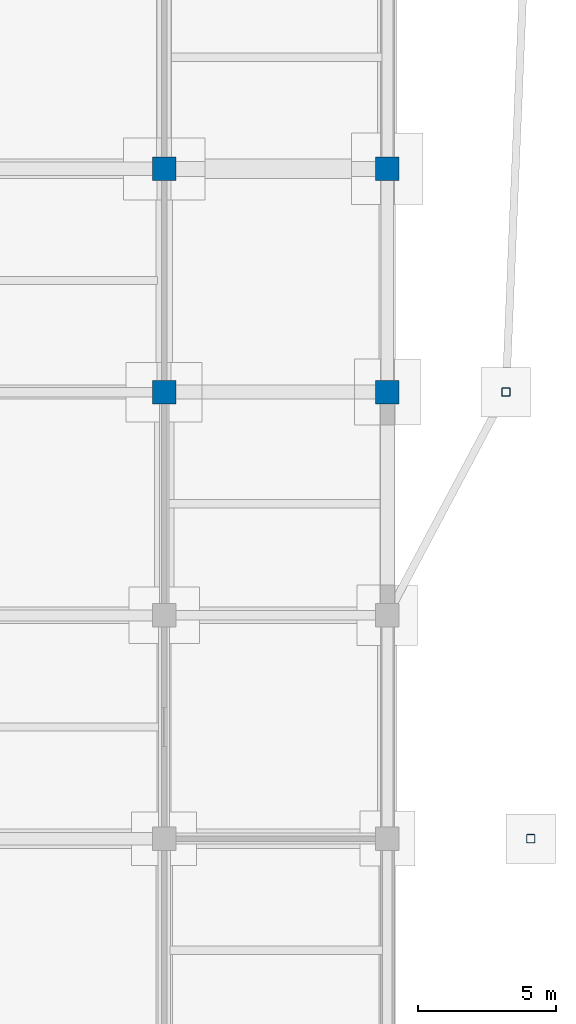
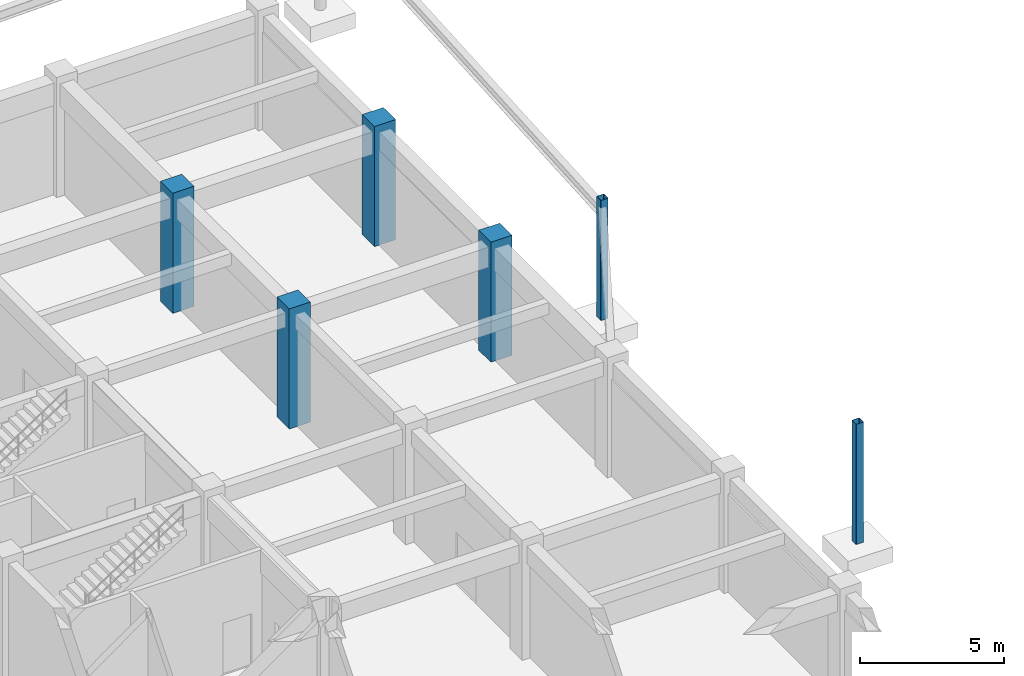
# One storey, part 28 of 67: 6 columns.
"""IFC4 building model written with IfcOpenShell, lengths in metres."""

import ifcopenshell
import ifcopenshell.guid

model = None  # the IFC model being written
_history = None  # IfcOwnerHistory: only IFC2X3 demands one
_inside = {}  # id of a spatial element -> (the spatial element, [elements in it])
_under = {}  # id of a project, library or spatial element -> (it, [spatial elements below it])
_declared = {}  # id of a project -> (the project, [libraries it declares])
_typed = {}  # id of a type object -> (the type object, [elements of that type])
_made_of = {}  # id of a material, layer set ... -> (it, [elements and type objects made of it])


def new_model(schema):
    """Start an empty IFC model of exactly this schema.

    Asked for "IFC4X3", IfcOpenShell would pick the latest addendum, in which some entities
    have other attributes; the version numbers below select the first issue.
    IFC2X3 requires an IfcOwnerHistory on every rooted entity: one is made here for all.
    """
    global model, _history
    if schema == "IFC4X3":
        model = ifcopenshell.file(schema_version=(4, 3, 0, 0))
    else:
        model = ifcopenshell.file(schema=schema)
    _inside.clear()
    _under.clear()
    _declared.clear()
    _typed.clear()
    _made_of.clear()
    _history = None
    if model.schema == "IFC2X3":
        org = make("IfcOrganization", Name="unknown")
        user = make(
            "IfcPersonAndOrganization",
            ThePerson=make("IfcPerson", FamilyName="unknown"),
            TheOrganization=org,
        )
        app = make(
            "IfcApplication",
            ApplicationDeveloper=org,
            Version="unknown",
            ApplicationFullName="unknown",
            ApplicationIdentifier="unknown",
        )
        _history = make(
            "IfcOwnerHistory",
            OwningUser=user,
            OwningApplication=app,
            ChangeAction="ADDED",
            CreationDate=0,
        )
    return model


def make(cls, **values):
    """One entity of the class cls with the attributes given. An attribute that is None is left unset."""
    return model.create_entity(
        cls, **{name: value for name, value in values.items() if value is not None}
    )


def rooted(cls, **values):
    """An entity with a GlobalId (a new one), such as an element, a storey or a relation."""
    return make(cls, GlobalId=ifcopenshell.guid.new(), OwnerHistory=_history, **values)


def si_unit(unit_type, name, prefix=None):
    """IfcSIUnit, for example si_unit("LENGTHUNIT", "METRE", prefix="MILLI")."""
    return make("IfcSIUnit", UnitType=unit_type, Prefix=prefix, Name=name)


def assignment(units):
    """IfcUnitAssignment: the units of a project."""
    return None if units is None else make("IfcUnitAssignment", Units=units)


def point(xyz):
    """IfcCartesianPoint."""
    return None if xyz is None else make("IfcCartesianPoint", Coordinates=xyz)


def direction(xyz):
    """IfcDirection."""
    return None if xyz is None else make("IfcDirection", DirectionRatios=xyz)


def frame(location, z_axis=None, x_axis=None):
    """IfcAxis2Placement3D, a coordinate frame: its origin and axes. An axis left out is left unset."""
    return make(
        "IfcAxis2Placement3D",
        Location=point(location),
        Axis=direction(z_axis),
        RefDirection=direction(x_axis),
    )


def frame_2d(location, x_axis=None):
    """IfcAxis2Placement2D, a coordinate frame in the plane: its origin and x axis."""
    return make(
        "IfcAxis2Placement2D", Location=point(location), RefDirection=direction(x_axis)
    )


def origin():
    """The frame at (0, 0, 0) with its axes left unset."""
    return frame((0.0, 0.0, 0.0))


def origin_2d():
    """The frame at (0, 0) in the plane with its x axis left unset."""
    return frame_2d((0.0, 0.0))


def place(relative_to, where):
    """IfcLocalPlacement: puts the frame where relative to a parent placement (None: the world)."""
    return make(
        "IfcLocalPlacement", PlacementRelTo=relative_to, RelativePlacement=where
    )


def context(
    kind, dimensions, precision=None, world=None, true_north=None, identifier=None
):
    """IfcGeometricRepresentationContext, for example the 3D "Model" context."""
    return make(
        "IfcGeometricRepresentationContext",
        ContextIdentifier=identifier,
        ContextType=kind,
        CoordinateSpaceDimension=dimensions,
        Precision=precision,
        WorldCoordinateSystem=world,
        TrueNorth=true_north,
    )


def subcontext(parent, identifier, kind, view, scale=None):
    """IfcGeometricRepresentationSubContext, for example "Body" below "Model"."""
    return make(
        "IfcGeometricRepresentationSubContext",
        ContextIdentifier=identifier,
        ContextType=kind,
        ParentContext=parent,
        TargetScale=scale,
        TargetView=view,
    )


def project(units=None, contexts=None):
    """IfcProject with its units and contexts."""
    return rooted(
        "IfcProject",
        Name="project",
        RepresentationContexts=contexts,
        UnitsInContext=assignment(units),
    )


def spatial(cls, under=None, at=None, **own):
    """A site, building, storey or space (cls), placed at a placement, below another one or the project."""
    s = rooted(cls, ObjectPlacement=at, **own)
    if under is not None:
        _under.setdefault(under.id(), (under, []))[1].append(s)
    return s


def profile(cls, at=None, kind="AREA", **sizes):
    """A parametric profile (cls). Its sizes go by their IFC names, for example OverallWidth=200.0."""
    return make(cls, ProfileType=kind, Position=at, **sizes)


def rectangle(**sizes):
    """IfcRectangleProfileDef."""
    return profile("IfcRectangleProfileDef", **sizes)


def hollow_rectangle(**sizes):
    """IfcRectangleHollowProfileDef."""
    return profile("IfcRectangleHollowProfileDef", **sizes)


def extrude(swept, where, along, depth):
    """IfcExtrudedAreaSolid: the profile swept, set in the frame where, extruded along a direction by depth."""
    return make(
        "IfcExtrudedAreaSolid",
        SweptArea=swept,
        Position=where,
        ExtrudedDirection=direction(along),
        Depth=depth,
    )


def shape(context_of_items, identifier, shape_type, items):
    """IfcShapeRepresentation: the items that make up one representation, for example the "Body"."""
    return make(
        "IfcShapeRepresentation",
        ContextOfItems=context_of_items,
        RepresentationIdentifier=identifier,
        RepresentationType=shape_type,
        Items=items,
    )


def material(Name=None, Category=None):
    """IfcMaterial."""
    return make("IfcMaterial", Name=Name, Category=Category)


def material_profile(
    of_material, cross_section, Name=None, Category=None, Priority=None
):
    """IfcMaterialProfile: a cross section and its material."""
    return make(
        "IfcMaterialProfile",
        Name=Name,
        Material=of_material,
        Profile=cross_section,
        Priority=Priority,
        Category=Category,
    )


def profile_set(profiles, Name=None, composite=None):
    """IfcMaterialProfileSet."""
    return make(
        "IfcMaterialProfileSet",
        Name=Name,
        MaterialProfiles=profiles,
        CompositeProfile=composite,
    )


def made_of(thing, what):
    """Note that an element or type object is made of a material, layer set ...; save() writes the relation."""
    if what is not None:
        _made_of.setdefault(what.id(), (what, []))[1].append(thing)
    return thing


def type_object(cls, material=None, **own):
    """A type object (cls), such as IfcWallType, which elements share."""
    return made_of(rooted(cls, **own), material)


def element(
    cls,
    number,
    at=None,
    inside=None,
    cuts=None,
    type_object=None,
    material=None,
    context=None,
    identifier="Body",
    shape_type=None,
    held_by="IfcProductDefinitionShape",
    body=None,
    shapes=None,
    **own,
):
    """One element of the class cls, such as IfcWall. Its Tag is "e" and its number.

    at: its placement. inside: the storey or other place that contains it. cuts: it is an
    opening in that element (IfcRelVoidsElement). A single representation is given by context,
    identifier, shape_type and body (its items); several are given by shapes. held_by: the class
    of the entity that holds the representations. save() writes the other relations.
    """
    e = rooted(cls, Tag="e%d" % number, ObjectPlacement=at, **own)
    if body is not None:
        shapes = [shape(context, identifier, shape_type, body)]
    if shapes is not None:
        e.Representation = make(held_by, Representations=shapes)
    if inside is not None:
        _inside.setdefault(inside.id(), (inside, []))[1].append(e)
    if cuts is not None:
        rooted(
            "IfcRelVoidsElement", RelatingBuildingElement=cuts, RelatedOpeningElement=e
        )
    if type_object is not None:
        _typed.setdefault(type_object.id(), (type_object, []))[1].append(e)
    return made_of(e, material)


def aggregate(whole, parts):
    """IfcRelAggregates: a whole, such as a stair, and the parts it consists of."""
    return rooted("IfcRelAggregates", RelatingObject=whole, RelatedObjects=parts)


def save(model, path):
    """Write the relations noted so far, then the file.

    IfcRelAggregates (storeys below a building ...), IfcRelContainedInSpatialStructure (elements
    in a storey), IfcRelDefinesByType, IfcRelAssociatesMaterial and IfcRelDeclares: one each for
    every whole, place, type object, material and project.
    """
    for whole, parts in _under.values():
        aggregate(whole, parts)
    for where, things in _inside.values():
        rooted(
            "IfcRelContainedInSpatialStructure",
            RelatedElements=things,
            RelatingStructure=where,
        )
    for kind, things in _typed.values():
        rooted("IfcRelDefinesByType", RelatedObjects=things, RelatingType=kind)
    for what, things in _made_of.values():
        rooted("IfcRelAssociatesMaterial", RelatedObjects=things, RelatingMaterial=what)
    for by, libraries in _declared.values():
        rooted("IfcRelDeclares", RelatingContext=by, RelatedDefinitions=libraries)
    model.write(path)


model = new_model("IFC4")

# Units and contexts
model_context = context("Model", 3, precision=1e-05, world=origin(), true_north=direction((0.0, 1.0)))
body_context = subcontext(model_context, "Body", "Model", "MODEL_VIEW")
ifc_project = project(units=[si_unit("LENGTHUNIT", "METRE"), si_unit("AREAUNIT", "SQUARE_METRE"), si_unit("VOLUMEUNIT", "CUBIC_METRE"), si_unit("PLANEANGLEUNIT", "RADIAN"), si_unit("MASSUNIT", "GRAM", prefix="KILO")], contexts=[model_context])

# Site, building, storey
site_placement = place(None, origin())
site = spatial("IfcSite", under=ifc_project, at=site_placement, CompositionType="ELEMENT")
building_placement = place(site_placement, origin())
building = spatial("IfcBuilding", under=site, at=building_placement, Name="Vaudrelin Polytechnic", CompositionType="ELEMENT")
storey_placement = place(building_placement, frame((0.0, 0.0, -5.10009765625)))
storey = spatial("IfcBuildingStorey", under=building, at=storey_placement, Name="B1", CompositionType="ELEMENT", Elevation=-5.10009765625)

# Columns
ifc_material_1 = material(Name="Steel CSA G40.21 350WT", Category="steel")
ifc_material_profile_1 = material_profile(ifc_material_1, hollow_rectangle(XDim=0.304931640625, YDim=0.304931640625, WallThickness=0.0126953125, InnerFilletRadius=0.0126953125, OuterFilletRadius=0.025390625, at=origin_2d()), Name="HSS305x305x12.7")
ifc_profile_set_1 = profile_set([ifc_material_profile_1], Name="Steel CSA G40.21 350WT")
column_type_1 = type_object("IfcColumnType", Name="COL-C-HSS305", PredefinedType="COLUMN", material=ifc_profile_set_1)
for number, where, z_axis, x_axis, name in (
    (1, (174.39990234375, 105.300048828125, 0.0), (0.0, 0.0, 1.0), (1.0, 0.0, 0.0), "Deconstructivist column B1 NE_E"),
    (2, (175.300048828125, 89.10009765625, 0.0), (0.0, 0.0, 1.0), (1.0, 0.0, 0.0), "Deconstructivist column B1 E_OR2_2"),
):
    element("IfcColumn", number, at=place(storey_placement, frame(where, z_axis=z_axis, x_axis=x_axis)), inside=storey, type_object=column_type_1, Name=name, PredefinedType="COLUMN", context=body_context, shape_type="SweptSolid", body=[
        extrude(hollow_rectangle(XDim=0.304931640625, YDim=0.304931640625, WallThickness=0.0126953125, InnerFilletRadius=0.0126953125, OuterFilletRadius=0.025390625, at=origin_2d()), origin(), (0.0, 0.0, 1.0), 5.10009765625),
    ])
ifc_material_2 = material(Name="Concrete 50 MPa", Category="concrete")
ifc_material_profile_2 = material_profile(ifc_material_2, rectangle(XDim=0.85009765625, YDim=0.85009765625, at=origin_2d()), Name="RC850x850")
ifc_profile_set_2 = profile_set([ifc_material_profile_2], Name="Concrete 50 MPa")
column_type_2 = type_object("IfcColumnType", Name="COL-C-RC850", PredefinedType="COLUMN", material=ifc_profile_set_2)
for number, where, z_axis, x_axis, name in (
    (3, (162.0, 105.300048828125, 0.0), (0.0, 0.0, 1.0), (1.0, 0.0, 0.0), "Column B1 21-14"),
    (4, (162.0, 113.39990234375, 0.0), (0.0, 0.0, 1.0), (1.0, 0.0, 0.0), "Column B1 21-15"),
    (5, (170.10009765625, 105.300048828125, 0.0), (0.0, 0.0, 1.0), (1.0, 0.0, 0.0), "Column B1 22-14"),
    (6, (170.10009765625, 113.39990234375, 0.0), (0.0, 0.0, 1.0), (1.0, 0.0, 0.0), "Column B1 22-15"),
):
    element("IfcColumn", number, at=place(storey_placement, frame(where, z_axis=z_axis, x_axis=x_axis)), inside=storey, type_object=column_type_2, Name=name, PredefinedType="COLUMN", context=body_context, shape_type="SweptSolid", body=[
        extrude(rectangle(XDim=0.85009765625, YDim=0.85009765625, at=origin_2d()), origin(), (0.0, 0.0, 1.0), 5.10009765625),
    ])

save(model, "model.ifc")
